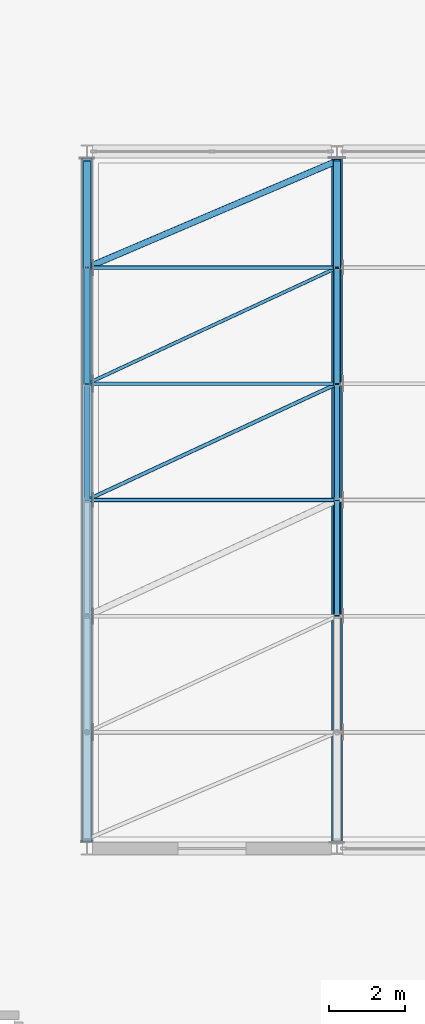
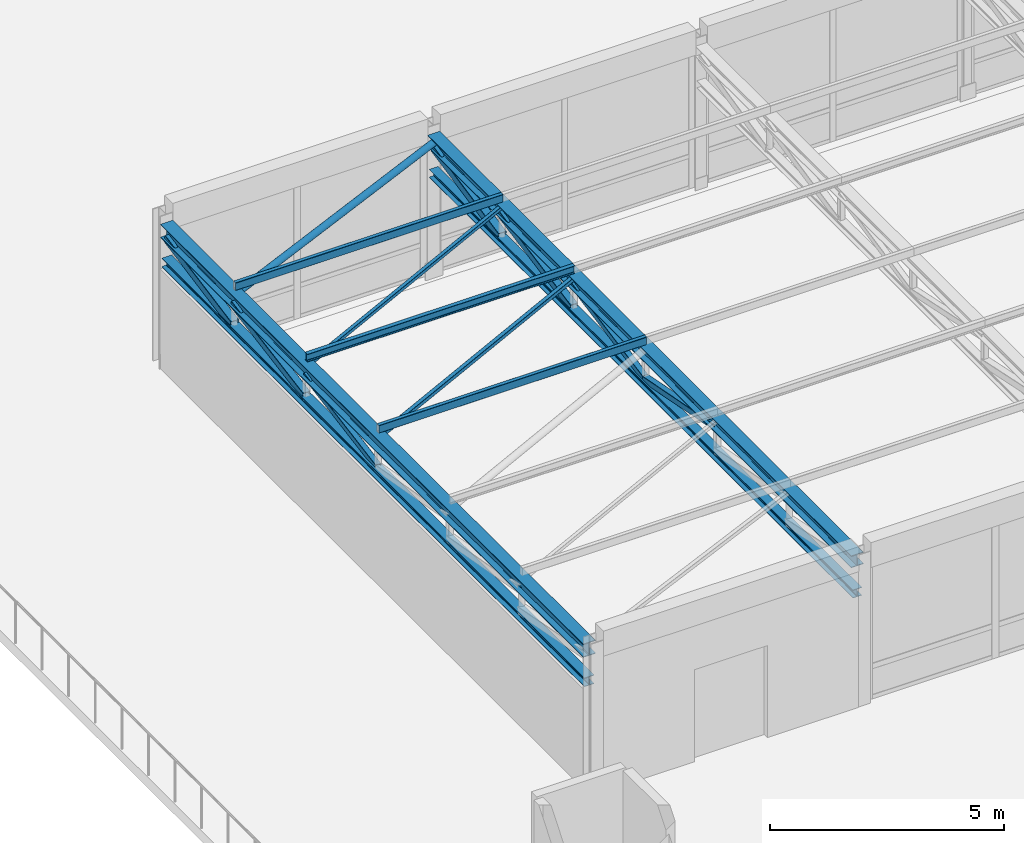
# One storey, part 18 of 92: 13 members, 4 beams.
"""IFC4 building model written with IfcOpenShell, lengths in metres."""

from ifc_helpers import new_model, si_unit, direction, frame, origin, origin_2d, place, context, subcontext, project, spatial, hollow_rectangle, hollow_circle, i_section, extrude, material, material_profile, profile_set, type_object, element, save


model = new_model("IFC4")

# Units and contexts
model_context = context("Model", 3, precision=1e-05, world=origin(), true_north=direction((0.0, 1.0)))
body_context = subcontext(model_context, "Body", "Model", "MODEL_VIEW")
ifc_project = project(units=[si_unit("LENGTHUNIT", "METRE"), si_unit("AREAUNIT", "SQUARE_METRE"), si_unit("VOLUMEUNIT", "CUBIC_METRE"), si_unit("PLANEANGLEUNIT", "RADIAN"), si_unit("MASSUNIT", "GRAM", prefix="KILO")], contexts=[model_context])

# Site, building, storey
site_placement = place(None, origin())
site = spatial("IfcSite", under=ifc_project, at=site_placement, CompositionType="ELEMENT")
building_placement = place(site_placement, origin())
building = spatial("IfcBuilding", under=site, at=building_placement, Name="Kernevlak Ridge Housing Community", CompositionType="ELEMENT")
storey_placement = place(building_placement, frame((0.0, 0.0, 4.199951171875)))
storey = spatial("IfcBuildingStorey", under=building, at=storey_placement, Name="L01", CompositionType="ELEMENT", Elevation=4.199951171875)

# Members
ifc_material = material(Name="Steel S355", Category="steel")
ifc_material_profile_1 = material_profile(ifc_material, hollow_rectangle(XDim=0.199951171875, YDim=0.199951171875, WallThickness=0.010009765625, InnerFilletRadius=0.010009765625, OuterFilletRadius=0.014892578125, at=origin_2d()), Name="SHS 200x200x10")
ifc_profile_set_1 = profile_set([ifc_material_profile_1], Name="Steel S355")
member_type_1 = type_object("IfcMemberType", Name="BR-01", PredefinedType="BRACE", material=ifc_profile_set_1)
member_1_placement = place(storey_placement, frame((64.199951171875, 65.13330078125, 2.864990234375), z_axis=(0.0, 0.98177933846, 0.190024552551), x_axis=(-1.0, 0.0, 0.0)))
element("IfcMember", 1, at=member_1_placement, inside=storey, type_object=member_type_1, Name="Community Hall roof truss 1 web diagonal 6", PredefinedType="BRACE", context=body_context, shape_type="SweptSolid", body=[
    extrude(hollow_rectangle(XDim=0.199951171875, YDim=0.199951171875, WallThickness=0.010009765625, InnerFilletRadius=0.010009765625, OuterFilletRadius=0.014892578125, at=origin_2d()), origin(), (0.0, 0.0, 1.0), 2.868896484375),
])
member_2_placement = place(storey_placement, frame((70.800048828125, 65.13330078125, 2.85498046875), z_axis=(0.0, 0.978704122893, 0.205276008907), x_axis=(-1.0, 0.0, 0.0)))
element("IfcMember", 2, at=member_2_placement, inside=storey, type_object=member_type_1, Name="Community Hall roof truss 2 web diagonal 6", PredefinedType="BRACE", context=body_context, shape_type="SweptSolid", body=[
    extrude(hollow_rectangle(XDim=0.199951171875, YDim=0.199951171875, WallThickness=0.010009765625, InnerFilletRadius=0.010009765625, OuterFilletRadius=0.014892578125, at=origin_2d()), origin(), (0.0, 0.0, 1.0), 2.8984375),
])
ifc_material_profile_2 = material_profile(ifc_material, hollow_rectangle(XDim=0.179931640625, YDim=0.179931640625, WallThickness=0.010009765625, InnerFilletRadius=0.010009765625, OuterFilletRadius=0.014892578125, at=origin_2d()), Name="SHS 180x180x10")
ifc_profile_set_2 = profile_set([ifc_material_profile_2], Name="Steel S355")
member_type_2 = type_object("IfcMemberType", Name="BR-02", PredefinedType="BRACE", material=ifc_profile_set_2)
member_3_placement = place(storey_placement, frame((64.199951171875, 62.066650390625, 2.864990234375), z_axis=(0.0, 0.984563408291, 0.175028269303), x_axis=(-1.0, 0.0, 0.0)))
element("IfcMember", 3, at=member_3_placement, inside=storey, type_object=member_type_2, Name="Community Hall roof truss 1 web diagonal 5", PredefinedType="BRACE", context=body_context, shape_type="SweptSolid", body=[
    extrude(hollow_rectangle(XDim=0.179931640625, YDim=0.179931640625, WallThickness=0.010009765625, InnerFilletRadius=0.010009765625, OuterFilletRadius=0.014892578125, at=origin_2d()), origin(), (0.0, 0.0, 1.0), 3.11474609375),
])
member_4_placement = place(storey_placement, frame((70.800048828125, 62.066650390625, 2.85498046875), z_axis=(0.0, 0.981694621235, 0.190461730113), x_axis=(-1.0, 0.0, 0.0)))
element("IfcMember", 4, at=member_4_placement, inside=storey, type_object=member_type_2, Name="Community Hall roof truss 2 web diagonal 5", PredefinedType="BRACE", context=body_context, shape_type="SweptSolid", body=[
    extrude(hollow_rectangle(XDim=0.179931640625, YDim=0.179931640625, WallThickness=0.010009765625, InnerFilletRadius=0.010009765625, OuterFilletRadius=0.014892578125, at=origin_2d()), origin(), (0.0, 0.0, 1.0), 3.123779296875),
])
ifc_material_profile_3 = material_profile(ifc_material, hollow_rectangle(XDim=0.14990234375, YDim=0.14990234375, WallThickness=0.008056640625, InnerFilletRadius=0.008056640625, OuterFilletRadius=0.011962890625, at=origin_2d()), Name="SHS 150x150x8")
ifc_profile_set_3 = profile_set([ifc_material_profile_3], Name="Steel S355")
member_type_3 = type_object("IfcMemberType", Name="BR-03", PredefinedType="BRACE", material=ifc_profile_set_3)
member_5_placement = place(storey_placement, frame((70.800048828125, 55.933349609375, 3.449951171875), z_axis=(0.0, 0.981694621235, -0.190461730113), x_axis=(-1.0, 0.0, 0.0)))
element("IfcMember", 5, at=member_5_placement, inside=storey, type_object=member_type_3, Name="Community Hall roof truss 2 web diagonal 3", PredefinedType="BRACE", context=body_context, shape_type="SweptSolid", body=[
    extrude(hollow_rectangle(XDim=0.14990234375, YDim=0.14990234375, WallThickness=0.008056640625, InnerFilletRadius=0.008056640625, OuterFilletRadius=0.011962890625, at=origin_2d()), origin(), (0.0, 0.0, 1.0), 3.123779296875),
])
ifc_material_profile_4 = material_profile(ifc_material, hollow_rectangle(XDim=0.139892578125, YDim=0.139892578125, WallThickness=0.008056640625, InnerFilletRadius=0.008056640625, OuterFilletRadius=0.011962890625, at=origin_2d()), Name="SHS 140x140x8")
ifc_profile_set_4 = profile_set([ifc_material_profile_4], Name="Steel S355")
member_type_4 = type_object("IfcMemberType", Name="BR-04", PredefinedType="BRACE", material=ifc_profile_set_4)
member_6_placement = place(storey_placement, frame((64.199951171875, 59.0, 2.864990234375), z_axis=(0.0, 0.984563408291, 0.175028269303), x_axis=(-1.0, 0.0, 0.0)))
element("IfcMember", 6, at=member_6_placement, inside=storey, type_object=member_type_4, Name="Community Hall roof truss 1 web diagonal 4", PredefinedType="BRACE", context=body_context, shape_type="SweptSolid", body=[
    extrude(hollow_rectangle(XDim=0.139892578125, YDim=0.139892578125, WallThickness=0.008056640625, InnerFilletRadius=0.008056640625, OuterFilletRadius=0.011962890625, at=origin_2d()), origin(), (0.0, 0.0, 1.0), 3.11474609375),
])
member_7_placement = place(storey_placement, frame((70.800048828125, 59.0, 2.85498046875), z_axis=(0.0, 0.981694621235, 0.190461730113), x_axis=(-1.0, 0.0, 0.0)))
element("IfcMember", 7, at=member_7_placement, inside=storey, type_object=member_type_4, Name="Community Hall roof truss 2 web diagonal 4", PredefinedType="BRACE", context=body_context, shape_type="SweptSolid", body=[
    extrude(hollow_rectangle(XDim=0.139892578125, YDim=0.139892578125, WallThickness=0.008056640625, InnerFilletRadius=0.008056640625, OuterFilletRadius=0.011962890625, at=origin_2d()), origin(), (0.0, 0.0, 1.0), 3.123779296875),
])
ifc_material_profile_5 = material_profile(ifc_material, hollow_rectangle(XDim=0.10009765625, YDim=0.10009765625, WallThickness=0.006103515625, InnerFilletRadius=0.006103515625, OuterFilletRadius=0.009033203125, at=origin_2d()), Name="SHS 100x100x6")
ifc_profile_set_5 = profile_set([ifc_material_profile_5], Name="Steel S355")
member_type_5 = type_object("IfcMemberType", Name="BR-06", PredefinedType="BRACE", material=ifc_profile_set_5)
member_8_placement = place(storey_placement, frame((64.199951171875, 59.0, 3.625), z_axis=(0.906887206183, 0.42137346293, 0.0), x_axis=(-0.42137346293, 0.906887206183, 0.0)))
element("IfcMember", 8, at=member_8_placement, inside=storey, type_object=member_type_5, Name="Roof lateral wind brace 1.4", PredefinedType="BRACE", context=body_context, shape_type="SweptSolid", body=[
    extrude(hollow_rectangle(XDim=0.10009765625, YDim=0.10009765625, WallThickness=0.006103515625, InnerFilletRadius=0.006103515625, OuterFilletRadius=0.009033203125, at=origin_2d()), origin(), (0.0, 0.0, 1.0), 7.27783203125),
])
ifc_material_profile_6 = material_profile(ifc_material, hollow_rectangle(XDim=0.090087890625, YDim=0.090087890625, WallThickness=0.0048828125, InnerFilletRadius=0.0048828125, OuterFilletRadius=0.007568359375, at=origin_2d()), Name="SHS 90x90x5")
ifc_profile_set_6 = profile_set([ifc_material_profile_6], Name="Steel S355")
member_type_6 = type_object("IfcMemberType", Name="BR-07", PredefinedType="BRACE", material=ifc_profile_set_6)
member_9_placement = place(storey_placement, frame((64.199951171875, 62.066650390625, 3.625), z_axis=(0.906887206183, 0.42137346293, 0.0), x_axis=(-0.42137346293, 0.906887206183, 0.0)))
element("IfcMember", 9, at=member_9_placement, inside=storey, type_object=member_type_6, Name="Roof lateral wind brace 1.5", PredefinedType="BRACE", context=body_context, shape_type="SweptSolid", body=[
    extrude(hollow_rectangle(XDim=0.090087890625, YDim=0.090087890625, WallThickness=0.0048828125, InnerFilletRadius=0.0048828125, OuterFilletRadius=0.007568359375, at=origin_2d()), origin(), (0.0, 0.0, 1.0), 7.27783203125),
])
ifc_material_profile_7 = material_profile(ifc_material, hollow_circle(Radius=0.084228515625, WallThickness=0.008056640625, at=origin_2d()), Name="CHS 168.3x8")
ifc_profile_set_7 = profile_set([ifc_material_profile_7], Name="Steel S355")
member_type_7 = type_object("IfcMemberType", Name="BR-08", PredefinedType="BRACE", material=ifc_profile_set_7)
member_10_placement = place(storey_placement, frame((64.199951171875, 65.13330078125, 3.625), z_axis=(0.919747546099, 0.39251044756, 0.0), x_axis=(-0.39251044756, 0.919747546099, 0.0)))
element("IfcMember", 10, at=member_10_placement, inside=storey, type_object=member_type_7, Name="Roof lateral wind brace 1.6", PredefinedType="BRACE", context=body_context, shape_type="SweptSolid", body=[
    extrude(hollow_circle(Radius=0.084228515625, WallThickness=0.008056640625, at=origin_2d()), origin(), (0.0, 0.0, 1.0), 7.176025390625),
])
ifc_material_profile_8 = material_profile(ifc_material, i_section(OverallWidth=0.10009765625, OverallDepth=0.199951171875, WebThickness=0.005615234375, FlangeThickness=0.008544921875, FilletRadius=0.011962890625, at=origin_2d()), Name="IPE 200")
ifc_profile_set_8 = profile_set([ifc_material_profile_8], Name="Steel S355")
member_type_8 = type_object("IfcMemberType", Name="PU-01", PredefinedType="PURLIN", material=ifc_profile_set_8)
member_11_placement = place(storey_placement, frame((64.199951171875, 62.066650390625, 3.860107421875), z_axis=(1.0, 0.0, 0.0), x_axis=(0.0, 1.0, 0.0)))
element("IfcMember", 11, at=member_11_placement, inside=storey, type_object=member_type_8, Name="Community Hall steel roof purlin 1.5", PredefinedType="PURLIN", context=body_context, shape_type="SweptSolid", body=[
    extrude(i_section(OverallWidth=0.10009765625, OverallDepth=0.199951171875, WebThickness=0.005615234375, FlangeThickness=0.008544921875, FilletRadius=0.011962890625, at=origin_2d()), origin(), (0.0, 0.0, 1.0), 6.60009765625),
])
ifc_material_profile_9 = material_profile(ifc_material, hollow_rectangle(XDim=0.10009765625, YDim=0.199951171875, WallThickness=0.008056640625, InnerFilletRadius=0.008056640625, OuterFilletRadius=0.011962890625, at=origin_2d()), Name="RHS 200x100x8")
ifc_profile_set_9 = profile_set([ifc_material_profile_9], Name="Steel S355")
member_type_9 = type_object("IfcMemberType", Name="PU-05", PredefinedType="PURLIN", material=ifc_profile_set_9)
for number, where, z_axis, x_axis, name in (
    (12, (64.199951171875, 59.0, 3.860107421875), (1.0, 0.0, 0.0), (0.0, 1.0, 0.0), "Community Hall steel roof purlin 1.4"),
    (13, (64.199951171875, 65.13330078125, 3.860107421875), (1.0, 0.0, 0.0), (0.0, 1.0, 0.0), "Community Hall steel roof purlin 1.6"),
):
    element("IfcMember", number, at=place(storey_placement, frame(where, z_axis=z_axis, x_axis=x_axis)), inside=storey, type_object=member_type_9, Name=name, PredefinedType="PURLIN", context=body_context, shape_type="SweptSolid", body=[
        extrude(hollow_rectangle(XDim=0.10009765625, YDim=0.199951171875, WallThickness=0.008056640625, InnerFilletRadius=0.008056640625, OuterFilletRadius=0.011962890625, at=origin_2d()), origin(), (0.0, 0.0, 1.0), 6.60009765625),
    ])

# Beams
ifc_material_profile_10 = material_profile(ifc_material, i_section(OverallWidth=0.300048828125, OverallDepth=0.35009765625, WebThickness=0.010009765625, FlangeThickness=0.017578125, FilletRadius=0.027099609375, at=origin_2d()), Name="HEA 360")
ifc_profile_set_10 = profile_set([ifc_material_profile_10], Name="Steel S355")
beam_type_1 = type_object("IfcBeamType", Name="TC-01", PredefinedType="BEAM", material=ifc_profile_set_10)
beam_1_placement = place(storey_placement, frame((64.199951171875, 49.969970703125, 3.5849609375), z_axis=(0.0, 1.0, 0.0), x_axis=(-1.0, 0.0, 0.0)))
element("IfcBeam", 14, at=beam_1_placement, inside=storey, type_object=beam_type_1, Name="Community Hall roof truss 1 top chord", PredefinedType="BEAM", context=body_context, shape_type="SweptSolid", body=[
    extrude(i_section(OverallWidth=0.300048828125, OverallDepth=0.35009765625, WebThickness=0.010009765625, FlangeThickness=0.017578125, FilletRadius=0.027099609375, at=origin_2d()), origin(), (0.0, 0.0, 1.0), 18.06005859375),
])
ifc_material_profile_11 = material_profile(ifc_material, i_section(OverallWidth=0.300048828125, OverallDepth=0.31005859375, WebThickness=0.009033203125, FlangeThickness=0.015380859375, FilletRadius=0.027099609375, at=origin_2d()), Name="HEA 320")
ifc_profile_set_11 = profile_set([ifc_material_profile_11], Name="Steel S355")
beam_type_2 = type_object("IfcBeamType", Name="TC-02", PredefinedType="BEAM", material=ifc_profile_set_11)
beam_2_placement = place(storey_placement, frame((70.800048828125, 49.949951171875, 3.60498046875), z_axis=(0.0, 1.0, 0.0), x_axis=(-1.0, 0.0, 0.0)))
element("IfcBeam", 15, at=beam_2_placement, inside=storey, type_object=beam_type_2, Name="Community Hall roof truss 2 top chord", PredefinedType="BEAM", context=body_context, shape_type="SweptSolid", body=[
    extrude(i_section(OverallWidth=0.300048828125, OverallDepth=0.31005859375, WebThickness=0.009033203125, FlangeThickness=0.015380859375, FilletRadius=0.027099609375, at=origin_2d()), origin(), (0.0, 0.0, 1.0), 18.10009765625),
])
ifc_material_profile_12 = material_profile(ifc_material, i_section(OverallWidth=0.239990234375, OverallDepth=0.22998046875, WebThickness=0.007568359375, FlangeThickness=0.011962890625, FilletRadius=0.02099609375, at=origin_2d()), Name="HEA 240")
ifc_profile_set_12 = profile_set([ifc_material_profile_12], Name="Steel S355")
beam_type_3 = type_object("IfcBeamType", Name="TC-04", PredefinedType="BEAM", material=ifc_profile_set_12)
beam_3_placement = place(storey_placement, frame((64.199951171875, 49.969970703125, 2.75), z_axis=(0.0, 1.0, 0.0), x_axis=(-1.0, 0.0, 0.0)))
element("IfcBeam", 16, at=beam_3_placement, inside=storey, type_object=beam_type_3, Name="Community Hall roof truss 1 bottom chord", PredefinedType="BEAM", context=body_context, shape_type="SweptSolid", body=[
    extrude(i_section(OverallWidth=0.239990234375, OverallDepth=0.22998046875, WebThickness=0.007568359375, FlangeThickness=0.011962890625, FilletRadius=0.02099609375, at=origin_2d()), origin(), (0.0, 0.0, 1.0), 18.06005859375),
])
ifc_material_profile_13 = material_profile(ifc_material, i_section(OverallWidth=0.219970703125, OverallDepth=0.2099609375, WebThickness=0.007080078125, FlangeThickness=0.010986328125, FilletRadius=0.01806640625, at=origin_2d()), Name="HEA 220")
ifc_profile_set_13 = profile_set([ifc_material_profile_13], Name="Steel S355")
beam_type_4 = type_object("IfcBeamType", Name="TC-05", PredefinedType="BEAM", material=ifc_profile_set_13)
beam_4_placement = place(storey_placement, frame((70.800048828125, 49.949951171875, 2.75), z_axis=(0.0, 1.0, 0.0), x_axis=(-1.0, 0.0, 0.0)))
element("IfcBeam", 17, at=beam_4_placement, inside=storey, type_object=beam_type_4, Name="Community Hall roof truss 2 bottom chord", PredefinedType="BEAM", context=body_context, shape_type="SweptSolid", body=[
    extrude(i_section(OverallWidth=0.219970703125, OverallDepth=0.2099609375, WebThickness=0.007080078125, FlangeThickness=0.010986328125, FilletRadius=0.01806640625, at=origin_2d()), origin(), (0.0, 0.0, 1.0), 18.10009765625),
])

save(model, "model.ifc")
